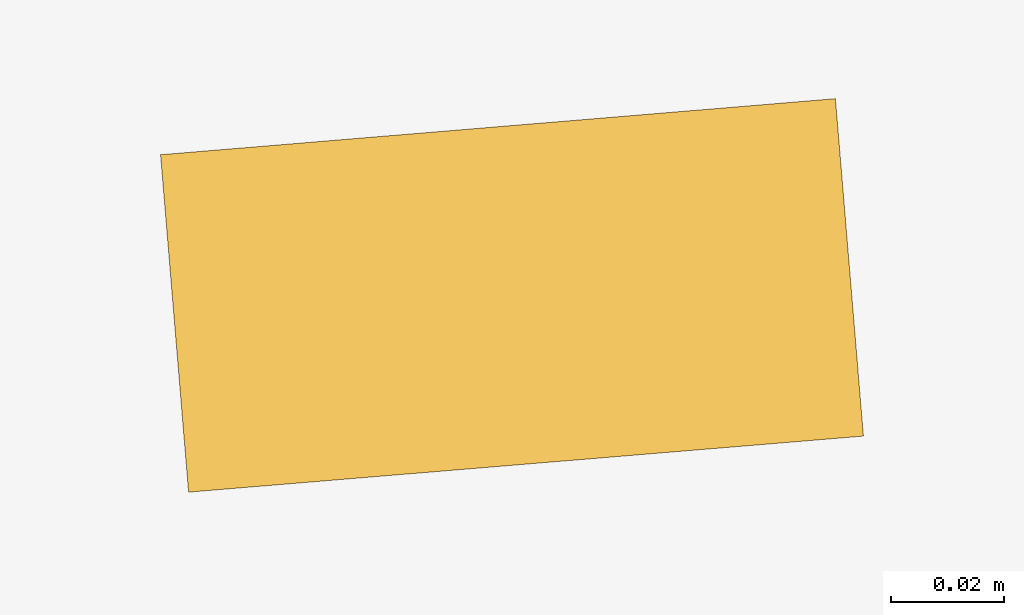
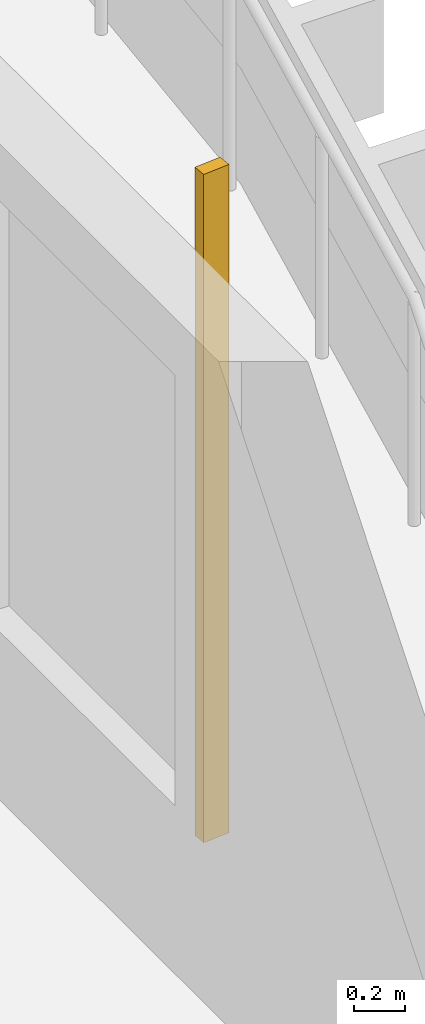
# One storey, part 15 of 17: 1 shading device.
"""IFC4 building model written with IfcOpenShell, lengths in metres."""

from ifc_helpers import new_model, si_unit, direction, frame, origin, origin_2d, place, context, subcontext, project, spatial, rectangle, extrude, source, transform, mapped, material, material_profile, profile_set, type_object, element, save


model = new_model("IFC4")

# Units and contexts
model_context = context("Model", 3, precision=1e-05, world=origin(), true_north=direction((0.0, 1.0)))
body_context = subcontext(model_context, "Body", "Model", "MODEL_VIEW")
ifc_project = project(units=[si_unit("LENGTHUNIT", "METRE"), si_unit("AREAUNIT", "SQUARE_METRE"), si_unit("VOLUMEUNIT", "CUBIC_METRE"), si_unit("PLANEANGLEUNIT", "RADIAN"), si_unit("MASSUNIT", "GRAM", prefix="KILO")], contexts=[model_context])

# Site, building, storey
site_placement = place(None, origin())
site = spatial("IfcSite", under=ifc_project, at=site_placement, CompositionType="ELEMENT")
building_placement = place(site_placement, origin())
building = spatial("IfcBuilding", under=site, at=building_placement, Name="Kilnfold Tower and Market Hall", CompositionType="ELEMENT")
storey_placement = place(building_placement, frame((0.0, 0.0, 298.39990234375)))
storey = spatial("IfcBuildingStorey", under=building, at=storey_placement, Name="L74", CompositionType="ELEMENT", Elevation=298.39990234375)

# Shading device
ifc_material = material(Name="Terracotta", Category="masonry")
ifc_material_profile = material_profile(ifc_material, rectangle(XDim=0.06005859375, YDim=0.1201171875, at=origin_2d()), Name="BAG 60x120")
ifc_profile_set = profile_set([ifc_material_profile], Name="Terracotta")
shading_device_type = type_object("IfcShadingDeviceType", Name="BAGUETTE", PredefinedType="USERDEFINED", material=ifc_profile_set)
shared_shape = source(origin(), body_context, "Body", "SweptSolid", [
    extrude(rectangle(XDim=0.06005859375, YDim=0.1201171875, at=origin_2d()), origin(), (0.0, 0.0, 1.0), 3.18017578125),
])
shading_device_placement = place(storey_placement, frame((23.800048828125, 6.5625, 0.0), z_axis=(0.0, 0.0, 1.0), x_axis=(-0.082771681423, 0.996568536908, 0.0)))
element("IfcShadingDevice", 1, at=shading_device_placement, inside=storey, type_object=shading_device_type, Name="Terracotta baguette L74 E", ObjectType="BAGUETTE", PredefinedType="USERDEFINED", context=body_context, shape_type="MappedRepresentation", body=[
    mapped(shared_shape, transform((0.0, 0.0, 0.0))),
])

save(model, "model.ifc")
